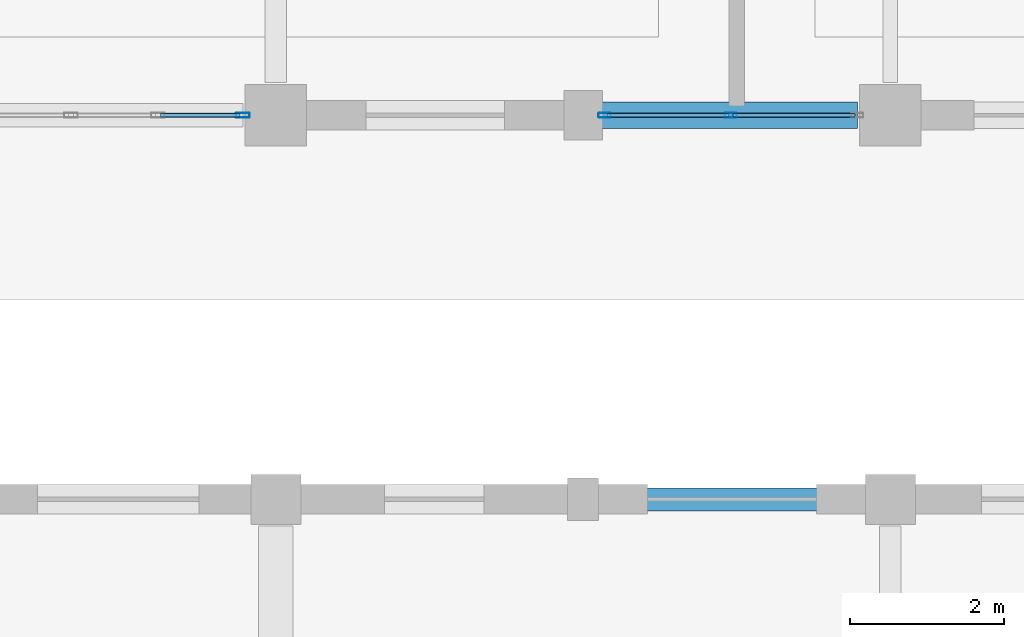
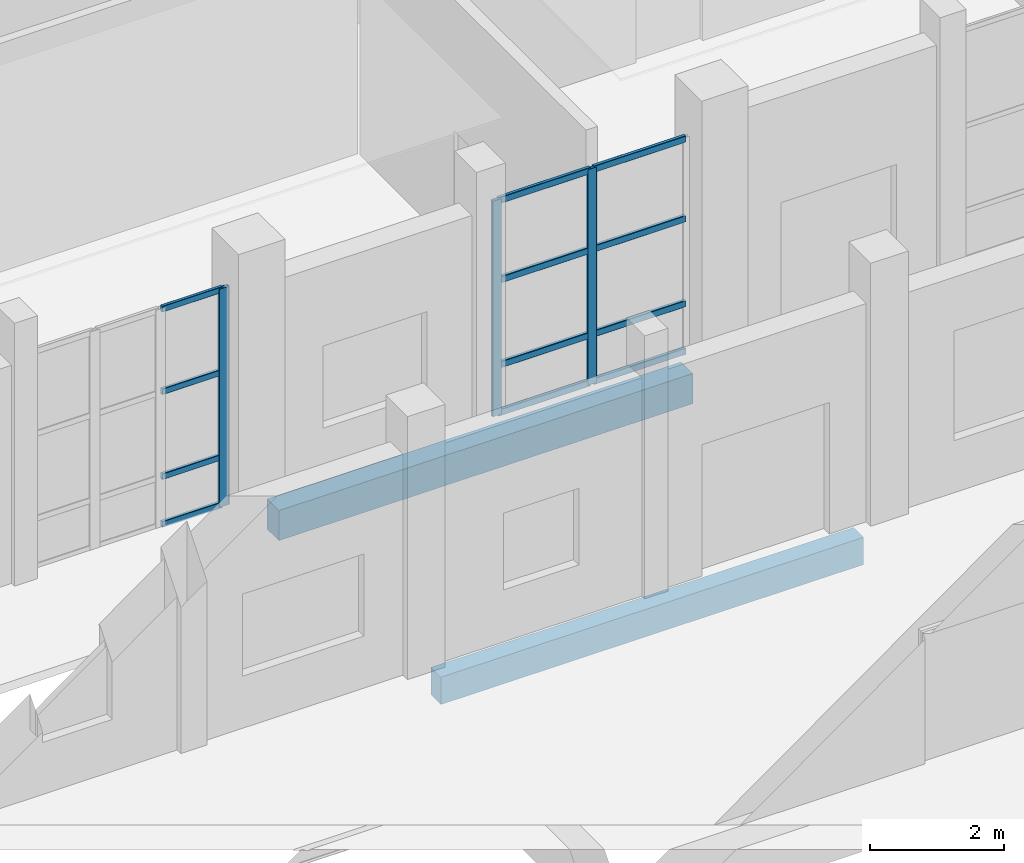
# One storey, part 90 of 156: 15 members, 2 beams, 2 elements without a shape of their own.
"""IFC4 building model written with IfcOpenShell, lengths in metres."""

from ifc_helpers import new_model, si_unit, direction, frame, origin, origin_2d, place, context, subcontext, project, spatial, rectangle, hollow_rectangle, extrude, material, material_profile, profile_set, type_object, element, aggregate, save


model = new_model("IFC4")

# Units and contexts
model_context = context("Model", 3, precision=1e-05, world=origin(), true_north=direction((0.0, 1.0)))
body_context = subcontext(model_context, "Body", "Model", "MODEL_VIEW")
ifc_project = project(units=[si_unit("LENGTHUNIT", "METRE"), si_unit("AREAUNIT", "SQUARE_METRE"), si_unit("VOLUMEUNIT", "CUBIC_METRE"), si_unit("PLANEANGLEUNIT", "RADIAN"), si_unit("MASSUNIT", "GRAM", prefix="KILO")], contexts=[model_context])

# Site, building, storey
site_placement = place(None, origin())
site = spatial("IfcSite", under=ifc_project, at=site_placement, CompositionType="ELEMENT")
building_placement = place(site_placement, origin())
building = spatial("IfcBuilding", under=site, at=building_placement, Name="Luwemba Playhouse", CompositionType="ELEMENT")
storey_placement = place(building_placement, origin())
storey = spatial("IfcBuildingStorey", under=building, at=storey_placement, Name="L00", CompositionType="ELEMENT", Elevation=0.0)

# Beams
ifc_material_1 = material(Name="Concrete C40/50", Category="concrete")
ifc_material_profile_1 = material_profile(ifc_material_1, rectangle(XDim=0.300048828125, YDim=0.5, at=origin_2d()))
ifc_profile_set_1 = profile_set([ifc_material_profile_1], Name="Concrete C40/50")
beam_type_1 = type_object("IfcBeamType", Name="BM-SP1", PredefinedType="SPANDREL", material=ifc_profile_set_1)
beam_1_placement = place(storey_placement, frame((140.35009765625, 90.0, -0.550048828125), z_axis=(1.0, 0.0, 0.0), x_axis=(0.0, 1.0, 0.0)))
element("IfcBeam", 1, at=beam_1_placement, inside=storey, type_object=beam_type_1, Name="L00 grid girder 0128", PredefinedType="SPANDREL", context=body_context, shape_type="SweptSolid", body=[
    extrude(rectangle(XDim=0.300048828125, YDim=0.5, at=origin_2d()), origin(), (0.0, 0.0, 1.0), 7.2998046875),
])
ifc_material_profile_2 = material_profile(ifc_material_1, rectangle(XDim=0.35009765625, YDim=0.550048828125, at=origin_2d()))
ifc_profile_set_2 = profile_set([ifc_material_profile_2], Name="Concrete C40/50")
beam_type_2 = type_object("IfcBeamType", Name="BM-SP2", PredefinedType="SPANDREL", material=ifc_profile_set_2)
beam_2_placement = place(storey_placement, frame((140.425048828125, 95.0, -0.574951171875), z_axis=(1.0, 0.0, 0.0), x_axis=(0.0, 1.0, 0.0)))
element("IfcBeam", 2, at=beam_2_placement, inside=storey, type_object=beam_type_2, Name="L00 grid girder 0301", PredefinedType="SPANDREL", context=body_context, shape_type="SweptSolid", body=[
    extrude(rectangle(XDim=0.35009765625, YDim=0.550048828125, at=origin_2d()), origin(), (0.0, 0.0, 1.0), 7.14990234375),
])

# Curtain wall, members
ifc_material_2 = material(Name="Solar-control double glazing", Category="glass")
curtain_wall_type_1 = type_object("IfcCurtainWallType", Name="CW-CW68", PredefinedType="USERDEFINED", material=ifc_material_2)
curtain_wall_1_placement = place(storey_placement, origin())
curtain_wall_1 = element("IfcCurtainWall", 3, at=curtain_wall_1_placement, inside=storey, type_object=curtain_wall_type_1, Name="L00 V6E unitised curtain wall 091", ObjectType="UNITISED GLAZING", PredefinedType="USERDEFINED")
ifc_material_3 = material(Name="Aluminium 6063-T6", Category="aluminium")
ifc_material_profile_3 = material_profile(ifc_material_3, hollow_rectangle(XDim=0.06005859375, YDim=0.159912109375, WallThickness=0.00390625, InnerFilletRadius=0.006103515625, OuterFilletRadius=0.010009765625, at=origin_2d()))
ifc_profile_set_3 = profile_set([ifc_material_profile_3], Name="Aluminium 6063-T6")
member_type_1 = type_object("IfcMemberType", Name="CWM-M1", PredefinedType="MULLION", material=ifc_profile_set_3)
member_1_placement = place(storey_placement, frame((145.925048828125, 95.0, 0.0), z_axis=(0.0, 0.0, 1.0), x_axis=(0.0, -1.0, 0.0)))
member_1 = element("IfcMember", 4, at=member_1_placement, type_object=member_type_1, Name="CW68 mullion 2", PredefinedType="MULLION", context=body_context, shape_type="SweptSolid", body=[
    extrude(hollow_rectangle(XDim=0.06005859375, YDim=0.159912109375, WallThickness=0.00390625, InnerFilletRadius=0.006103515625, OuterFilletRadius=0.010009765625, at=origin_2d()), origin(), (0.0, 0.0, 1.0), 3.93505859375),
])
member_2_placement = place(storey_placement, frame((144.280029296875, 95.0, 0.0), z_axis=(0.0, 0.0, 1.0), x_axis=(0.0, -1.0, 0.0)))
member_2 = element("IfcMember", 5, at=member_2_placement, type_object=member_type_1, Name="CW68 mullion 3", PredefinedType="MULLION", context=body_context, shape_type="SweptSolid", body=[
    extrude(hollow_rectangle(XDim=0.06005859375, YDim=0.159912109375, WallThickness=0.00390625, InnerFilletRadius=0.006103515625, OuterFilletRadius=0.010009765625, at=origin_2d()), origin(), (0.0, 0.0, 1.0), 3.93505859375),
])

# Curtain wall, member
curtain_wall_type_2 = type_object("IfcCurtainWallType", Name="CW-CW26", PredefinedType="USERDEFINED", material=ifc_material_2)
curtain_wall_2_placement = place(storey_placement, origin())
curtain_wall_2 = element("IfcCurtainWall", 6, at=curtain_wall_2_placement, inside=storey, type_object=curtain_wall_type_2, Name="L00 V6E unitised curtain wall 092", ObjectType="UNITISED GLAZING", PredefinedType="USERDEFINED")
ifc_material_profile_4 = material_profile(ifc_material_3, hollow_rectangle(XDim=0.06494140625, YDim=0.179931640625, WallThickness=0.00439453125, InnerFilletRadius=0.0068359375, OuterFilletRadius=0.01123046875, at=origin_2d()))
ifc_profile_set_4 = profile_set([ifc_material_profile_4], Name="Aluminium 6063-T6")
member_type_2 = type_object("IfcMemberType", Name="CWM-M2", PredefinedType="MULLION", material=ifc_profile_set_4)
member_3_placement = place(storey_placement, frame((139.5673828125, 95.0, 0.0), z_axis=(0.0, 0.0, 1.0), x_axis=(0.0, -1.0, 0.0)))
member_3 = element("IfcMember", 7, at=member_3_placement, type_object=member_type_2, Name="CW26 mullion 1", PredefinedType="MULLION", context=body_context, shape_type="SweptSolid", body=[
    extrude(hollow_rectangle(XDim=0.06494140625, YDim=0.179931640625, WallThickness=0.00439453125, InnerFilletRadius=0.0068359375, OuterFilletRadius=0.01123046875, at=origin_2d()), origin(), (0.0, 0.0, 1.0), 3.985107421875),
])

# Member
ifc_material_profile_5 = material_profile(ifc_material_3, hollow_rectangle(XDim=0.06005859375, YDim=0.1201171875, WallThickness=0.00390625, InnerFilletRadius=0.006103515625, OuterFilletRadius=0.010009765625, at=origin_2d()))
ifc_profile_set_5 = profile_set([ifc_material_profile_5], Name="Aluminium 6063-T6")
member_type_3 = type_object("IfcMemberType", Name="CWT-T1", PredefinedType="USERDEFINED", material=ifc_profile_set_5)
member_4_placement = place(storey_placement, frame((147.5400390625, 95.0, 0.030029296875), z_axis=(-1.0, 0.0, 0.0), x_axis=(0.0, -1.0, 0.0)))
member_4 = element("IfcMember", 8, at=member_4_placement, type_object=member_type_3, Name="CW68 transom 1.1", ObjectType="TRANSOM", PredefinedType="USERDEFINED", context=body_context, shape_type="SweptSolid", body=[
    extrude(hollow_rectangle(XDim=0.06005859375, YDim=0.1201171875, WallThickness=0.00390625, InnerFilletRadius=0.006103515625, OuterFilletRadius=0.010009765625, at=origin_2d()), origin(), (0.0, 0.0, 1.0), 1.5849609375),
])

member_5_placement = place(storey_placement, frame((147.5400390625, 95.0, 0.89990234375), z_axis=(-1.0, 0.0, 0.0), x_axis=(0.0, -1.0, 0.0)))
member_5 = element("IfcMember", 9, at=member_5_placement, type_object=member_type_3, Name="CW68 transom 1.2", ObjectType="TRANSOM", PredefinedType="USERDEFINED", context=body_context, shape_type="SweptSolid", body=[
    extrude(hollow_rectangle(XDim=0.06005859375, YDim=0.1201171875, WallThickness=0.00390625, InnerFilletRadius=0.006103515625, OuterFilletRadius=0.010009765625, at=origin_2d()), origin(), (0.0, 0.0, 1.0), 1.5849609375),
])

member_6_placement = place(storey_placement, frame((147.5400390625, 95.0, 2.449951171875), z_axis=(-1.0, 0.0, 0.0), x_axis=(0.0, -1.0, 0.0)))
member_6 = element("IfcMember", 10, at=member_6_placement, type_object=member_type_3, Name="CW68 transom 1.3", ObjectType="TRANSOM", PredefinedType="USERDEFINED", context=body_context, shape_type="SweptSolid", body=[
    extrude(hollow_rectangle(XDim=0.06005859375, YDim=0.1201171875, WallThickness=0.00390625, InnerFilletRadius=0.006103515625, OuterFilletRadius=0.010009765625, at=origin_2d()), origin(), (0.0, 0.0, 1.0), 1.5849609375),
])

member_7_placement = place(storey_placement, frame((147.5400390625, 95.0, 3.905029296875), z_axis=(-1.0, 0.0, 0.0), x_axis=(0.0, -1.0, 0.0)))
member_7 = element("IfcMember", 11, at=member_7_placement, type_object=member_type_3, Name="CW68 transom 1.4", ObjectType="TRANSOM", PredefinedType="USERDEFINED", context=body_context, shape_type="SweptSolid", body=[
    extrude(hollow_rectangle(XDim=0.06005859375, YDim=0.1201171875, WallThickness=0.00390625, InnerFilletRadius=0.006103515625, OuterFilletRadius=0.010009765625, at=origin_2d()), origin(), (0.0, 0.0, 1.0), 1.5849609375),
])

member_8_placement = place(storey_placement, frame((145.89501953125, 95.0, 0.030029296875), z_axis=(-1.0, 0.0, 0.0), x_axis=(0.0, -1.0, 0.0)))
member_8 = element("IfcMember", 12, at=member_8_placement, type_object=member_type_3, Name="CW68 transom 2.1", ObjectType="TRANSOM", PredefinedType="USERDEFINED", context=body_context, shape_type="SweptSolid", body=[
    extrude(hollow_rectangle(XDim=0.06005859375, YDim=0.1201171875, WallThickness=0.00390625, InnerFilletRadius=0.006103515625, OuterFilletRadius=0.010009765625, at=origin_2d()), origin(), (0.0, 0.0, 1.0), 1.5849609375),
])

member_9_placement = place(storey_placement, frame((145.89501953125, 95.0, 0.89990234375), z_axis=(-1.0, 0.0, 0.0), x_axis=(0.0, -1.0, 0.0)))
member_9 = element("IfcMember", 13, at=member_9_placement, type_object=member_type_3, Name="CW68 transom 2.2", ObjectType="TRANSOM", PredefinedType="USERDEFINED", context=body_context, shape_type="SweptSolid", body=[
    extrude(hollow_rectangle(XDim=0.06005859375, YDim=0.1201171875, WallThickness=0.00390625, InnerFilletRadius=0.006103515625, OuterFilletRadius=0.010009765625, at=origin_2d()), origin(), (0.0, 0.0, 1.0), 1.5849609375),
])

member_10_placement = place(storey_placement, frame((145.89501953125, 95.0, 2.449951171875), z_axis=(-1.0, 0.0, 0.0), x_axis=(0.0, -1.0, 0.0)))
member_10 = element("IfcMember", 14, at=member_10_placement, type_object=member_type_3, Name="CW68 transom 2.3", ObjectType="TRANSOM", PredefinedType="USERDEFINED", context=body_context, shape_type="SweptSolid", body=[
    extrude(hollow_rectangle(XDim=0.06005859375, YDim=0.1201171875, WallThickness=0.00390625, InnerFilletRadius=0.006103515625, OuterFilletRadius=0.010009765625, at=origin_2d()), origin(), (0.0, 0.0, 1.0), 1.5849609375),
])

member_11_placement = place(storey_placement, frame((145.89501953125, 95.0, 3.905029296875), z_axis=(-1.0, 0.0, 0.0), x_axis=(0.0, -1.0, 0.0)))
member_11 = element("IfcMember", 15, at=member_11_placement, type_object=member_type_3, Name="CW68 transom 2.4", ObjectType="TRANSOM", PredefinedType="USERDEFINED", context=body_context, shape_type="SweptSolid", body=[
    extrude(hollow_rectangle(XDim=0.06005859375, YDim=0.1201171875, WallThickness=0.00390625, InnerFilletRadius=0.006103515625, OuterFilletRadius=0.010009765625, at=origin_2d()), origin(), (0.0, 0.0, 1.0), 1.5849609375),
])

aggregate(curtain_wall_1, [member_1, member_2, member_4, member_5, member_6, member_7, member_8, member_9, member_10, member_11])

ifc_material_profile_6 = material_profile(ifc_material_3, hollow_rectangle(XDim=0.054931640625, YDim=0.110107421875, WallThickness=0.00341796875, InnerFilletRadius=0.00537109375, OuterFilletRadius=0.0087890625, at=origin_2d()))
ifc_profile_set_6 = profile_set([ifc_material_profile_6], Name="Aluminium 6063-T6")
member_type_4 = type_object("IfcMemberType", Name="CWT-T2", PredefinedType="USERDEFINED", material=ifc_profile_set_6)
member_12_placement = place(storey_placement, frame((139.534912109375, 95.0, 0.027587890625), z_axis=(-1.0, 0.0, 0.0), x_axis=(0.0, -1.0, 0.0)))
member_12 = element("IfcMember", 16, at=member_12_placement, type_object=member_type_4, Name="CW26 transom 1.1", ObjectType="TRANSOM", PredefinedType="USERDEFINED", context=body_context, shape_type="SweptSolid", body=[
    extrude(hollow_rectangle(XDim=0.054931640625, YDim=0.110107421875, WallThickness=0.00341796875, InnerFilletRadius=0.00537109375, OuterFilletRadius=0.0087890625, at=origin_2d()), origin(), (0.0, 0.0, 1.0), 1.03564453125),
])

member_13_placement = place(storey_placement, frame((139.534912109375, 95.0, 0.89990234375), z_axis=(-1.0, 0.0, 0.0), x_axis=(0.0, -1.0, 0.0)))
member_13 = element("IfcMember", 17, at=member_13_placement, type_object=member_type_4, Name="CW26 transom 1.2", ObjectType="TRANSOM", PredefinedType="USERDEFINED", context=body_context, shape_type="SweptSolid", body=[
    extrude(hollow_rectangle(XDim=0.054931640625, YDim=0.110107421875, WallThickness=0.00341796875, InnerFilletRadius=0.00537109375, OuterFilletRadius=0.0087890625, at=origin_2d()), origin(), (0.0, 0.0, 1.0), 1.03564453125),
])

member_14_placement = place(storey_placement, frame((139.534912109375, 95.0, 2.449951171875), z_axis=(-1.0, 0.0, 0.0), x_axis=(0.0, -1.0, 0.0)))
member_14 = element("IfcMember", 18, at=member_14_placement, type_object=member_type_4, Name="CW26 transom 1.3", ObjectType="TRANSOM", PredefinedType="USERDEFINED", context=body_context, shape_type="SweptSolid", body=[
    extrude(hollow_rectangle(XDim=0.054931640625, YDim=0.110107421875, WallThickness=0.00341796875, InnerFilletRadius=0.00537109375, OuterFilletRadius=0.0087890625, at=origin_2d()), origin(), (0.0, 0.0, 1.0), 1.03564453125),
])

member_15_placement = place(storey_placement, frame((139.534912109375, 95.0, 3.95751953125), z_axis=(-1.0, 0.0, 0.0), x_axis=(0.0, -1.0, 0.0)))
member_15 = element("IfcMember", 19, at=member_15_placement, type_object=member_type_4, Name="CW26 transom 1.4", ObjectType="TRANSOM", PredefinedType="USERDEFINED", context=body_context, shape_type="SweptSolid", body=[
    extrude(hollow_rectangle(XDim=0.054931640625, YDim=0.110107421875, WallThickness=0.00341796875, InnerFilletRadius=0.00537109375, OuterFilletRadius=0.0087890625, at=origin_2d()), origin(), (0.0, 0.0, 1.0), 1.03564453125),
])

aggregate(curtain_wall_2, [member_3, member_12, member_13, member_14, member_15])

save(model, "model.ifc")
